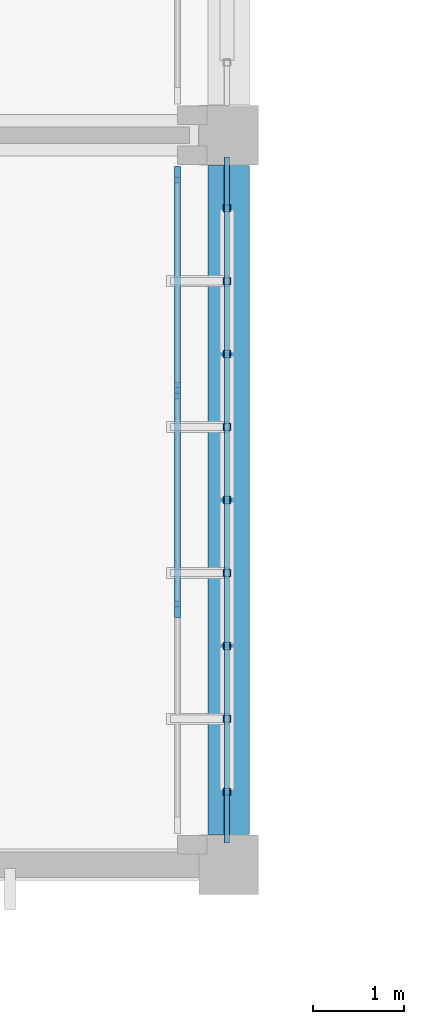
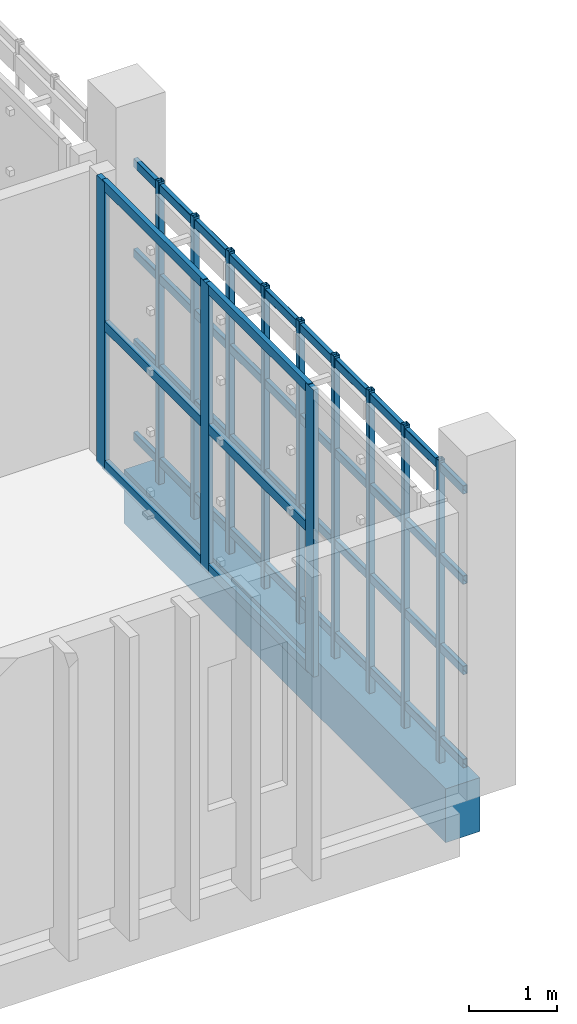
# One storey, part 62 of 106: 22 members, 1 beam, 1 element without a shape of its own.
"""IFC4 building model written with IfcOpenShell, lengths in metres."""

from ifc_helpers import new_model, si_unit, direction, frame, origin, origin_2d, place, context, subcontext, project, spatial, rectangle, hollow_rectangle, extrude, material, layer, layer_set, material_profile, profile_set, type_object, element, aggregate, save


model = new_model("IFC4")

# Units and contexts
model_context = context("Model", 3, precision=1e-05, world=origin(), true_north=direction((0.0, 1.0)))
body_context = subcontext(model_context, "Body", "Model", "MODEL_VIEW")
ifc_project = project(units=[si_unit("LENGTHUNIT", "METRE"), si_unit("AREAUNIT", "SQUARE_METRE"), si_unit("VOLUMEUNIT", "CUBIC_METRE"), si_unit("PLANEANGLEUNIT", "RADIAN"), si_unit("MASSUNIT", "GRAM", prefix="KILO")], contexts=[model_context])

# Site, building, storey
site_placement = place(None, origin())
site = spatial("IfcSite", under=ifc_project, at=site_placement, CompositionType="ELEMENT")
building_placement = place(site_placement, origin())
building = spatial("IfcBuilding", under=site, at=building_placement, Name="Jelvoka-Kovrelna Polytechnic", CompositionType="ELEMENT")
storey_placement = place(building_placement, frame((0.0, 0.0, 4.800048828125)))
storey = spatial("IfcBuildingStorey", under=building, at=storey_placement, Name="L02", CompositionType="ELEMENT", Elevation=4.800048828125)

# Beam
ifc_material_1 = material(Name="Concrete C40/50", Category="concrete")
ifc_material_profile_1 = material_profile(ifc_material_1, rectangle(XDim=0.449951171875, YDim=0.75, at=origin_2d()), Name="RC 450x750")
ifc_profile_set_1 = profile_set([ifc_material_profile_1], Name="Concrete C40/50")
beam_type = type_object("IfcBeamType", Name="Beam_RC_450x750", PredefinedType="BEAM", material=ifc_profile_set_1)
beam_placement = place(storey_placement, frame((192.0, 56.330078125, -0.64013671875), z_axis=(0.0, 1.0, 0.0), x_axis=(-1.0, 0.0, 0.0)))
element("IfcBeam", 1, at=beam_placement, inside=storey, type_object=beam_type, Name="L02 beam 0837", PredefinedType="BEAM", context=body_context, shape_type="SweptSolid", body=[
    extrude(rectangle(XDim=0.449951171875, YDim=0.75, at=origin_2d()), origin(), (0.0, 0.0, 1.0), 7.33984375),
])

# Members
ifc_material_2 = material(Name="Structural steel S355J2H", Category="steel")
ifc_material_profile_2 = material_profile(ifc_material_2, hollow_rectangle(XDim=0.06005859375, YDim=0.1201171875, WallThickness=0.0048828125, InnerFilletRadius=0.0048828125, OuterFilletRadius=0.007568359375, at=origin_2d()), Name="120x60x5.0 RHS")
ifc_profile_set_2 = profile_set([ifc_material_profile_2], Name="Structural steel S355J2H")
member_type_1 = type_object("IfcMemberType", Name="Member_Strut_RHS120", PredefinedType="STRUT", material=ifc_profile_set_2)
for number, where, z_axis, x_axis, name in (
    (2, (191.97998046875, 56.239990234375, 0.079833984375), (0.0, 1.0, 0.0), (-1.0, 0.0, 0.0), "L02 terracotta screen horizontal strut 0651"),
    (3, (191.97998046875, 56.239990234375, 1.375244140625), (0.0, 1.0, 0.0), (-1.0, 0.0, 0.0), "L02 terracotta screen horizontal strut 0652"),
    (4, (191.97998046875, 56.239990234375, 2.632568359375), (0.0, 1.0, 0.0), (-1.0, 0.0, 0.0), "L02 terracotta screen horizontal strut 0653"),
    (5, (191.97998046875, 56.239990234375, 3.889892578125), (0.0, 1.0, 0.0), (-1.0, 0.0, 0.0), "L02 terracotta screen horizontal strut 0654"),
):
    element("IfcMember", number, at=place(storey_placement, frame(where, z_axis=z_axis, x_axis=x_axis)), inside=storey, type_object=member_type_1, Name=name, PredefinedType="STRUT", context=body_context, shape_type="SweptSolid", body=[
        extrude(hollow_rectangle(XDim=0.06005859375, YDim=0.1201171875, WallThickness=0.0048828125, InnerFilletRadius=0.0048828125, OuterFilletRadius=0.007568359375, at=origin_2d()), origin(), (0.0, 0.0, 1.0), 7.52001953125),
    ])
ifc_material_3 = material(Name="Structural steel S355J2H", Category="steel")
ifc_material_profile_3 = material_profile(ifc_material_3, hollow_rectangle(XDim=0.080078125, YDim=0.080078125, WallThickness=0.0048828125, InnerFilletRadius=0.0048828125, OuterFilletRadius=0.007568359375, at=origin_2d()), Name="80x80x5.0 SHS")
ifc_profile_set_3 = profile_set([ifc_material_profile_3], Name="Structural steel S355J2H")
member_type_2 = type_object("IfcMemberType", Name="Member_Strut_SHS80", PredefinedType="STRUT", material=ifc_profile_set_3)
for number, where, z_axis, x_axis, name in (
    (6, (191.97998046875, 56.800048828125, -0.22998046875), (0.0, 0.0, 1.0), (1.0, 0.0, 0.0), "L02 terracotta lattice vertical rib 0655"),
    (7, (191.97998046875, 57.60009765625, -0.22998046875), (0.0, 0.0, 1.0), (1.0, 0.0, 0.0), "L02 terracotta lattice vertical rib 0656"),
    (8, (191.97998046875, 58.39990234375, -0.22998046875), (0.0, 0.0, 1.0), (1.0, 0.0, 0.0), "L02 terracotta lattice vertical rib 0657"),
    (9, (191.97998046875, 59.199951171875, -0.22998046875), (0.0, 0.0, 1.0), (1.0, 0.0, 0.0), "L02 terracotta lattice vertical rib 0658"),
    (10, (191.97998046875, 60.0, -0.22998046875), (0.0, 0.0, 1.0), (1.0, 0.0, 0.0), "L02 terracotta lattice vertical rib 0659"),
    (11, (191.97998046875, 60.800048828125, -0.22998046875), (0.0, 0.0, 1.0), (1.0, 0.0, 0.0), "L02 terracotta lattice vertical rib 0660"),
    (12, (191.97998046875, 61.60009765625, -0.22998046875), (0.0, 0.0, 1.0), (1.0, 0.0, 0.0), "L02 terracotta lattice vertical rib 0661"),
    (13, (191.97998046875, 62.39990234375, -0.22998046875), (0.0, 0.0, 1.0), (1.0, 0.0, 0.0), "L02 terracotta lattice vertical rib 0662"),
    (14, (191.97998046875, 63.199951171875, -0.22998046875), (0.0, 0.0, 1.0), (1.0, 0.0, 0.0), "L02 terracotta lattice vertical rib 0663"),
):
    element("IfcMember", number, at=place(storey_placement, frame(where, z_axis=z_axis, x_axis=x_axis)), inside=storey, type_object=member_type_2, Name=name, PredefinedType="STRUT", context=body_context, shape_type="SweptSolid", body=[
        extrude(hollow_rectangle(XDim=0.080078125, YDim=0.080078125, WallThickness=0.0048828125, InnerFilletRadius=0.0048828125, OuterFilletRadius=0.007568359375, at=origin_2d()), origin(), (0.0, 0.0, 1.0), 4.2099609375),
    ])

# Curtain wall, members
ifc_material_4 = material(Name="Anodised aluminium 6063-T6", Category="aluminium")
ifc_layer = layer(ifc_material_4, 0.179931640625)
ifc_layer_set = layer_set([ifc_layer], Name="Anodised aluminium 6063-T6")
curtain_wall_type = type_object("IfcCurtainWallType", Name="CW_Recessed_B", PredefinedType="NOTDEFINED", material=ifc_layer_set)
curtain_wall_placement = place(storey_placement, origin())
curtain_wall = element("IfcCurtainWall", 15, at=curtain_wall_placement, inside=storey, type_object=curtain_wall_type, Name="L02 glazed curtain wall 083", PredefinedType="NOTDEFINED")
ifc_material_5 = material(Name="Anodised aluminium 6063-T6", Category="aluminium")
ifc_material_profile_4 = material_profile(ifc_material_5, rectangle(XDim=0.06494140625, YDim=0.179931640625, at=origin_2d()), Name="ALU 65x180")
ifc_profile_set_4 = profile_set([ifc_material_profile_4], Name="Anodised aluminium 6063-T6")
member_type_3 = type_object("IfcMemberType", Name="Mullion_M-02", PredefinedType="MULLION", material=ifc_profile_set_4)
member_1_placement = place(storey_placement, frame((191.43994140625, 63.5673828125, -0.02490234375), z_axis=(0.0, 0.0, 1.0), x_axis=(1.0, 0.0, 0.0)))
member_1 = element("IfcMember", 16, at=member_1_placement, type_object=member_type_3, Name="CW-02 mullion 1", PredefinedType="MULLION", context=body_context, shape_type="SweptSolid", body=[
    extrude(rectangle(XDim=0.06494140625, YDim=0.179931640625, at=origin_2d()), origin(), (0.0, 0.0, 1.0), 4.0),
])
member_2_placement = place(storey_placement, frame((191.43994140625, 61.199951171875, -0.02490234375), z_axis=(0.0, 0.0, 1.0), x_axis=(1.0, 0.0, 0.0)))
member_2 = element("IfcMember", 17, at=member_2_placement, type_object=member_type_3, Name="CW-02 mullion 2", PredefinedType="MULLION", context=body_context, shape_type="SweptSolid", body=[
    extrude(rectangle(XDim=0.06494140625, YDim=0.179931640625, at=origin_2d()), origin(), (0.0, 0.0, 1.0), 4.0),
])
member_3_placement = place(storey_placement, frame((191.43994140625, 58.800048828125, -0.02490234375), z_axis=(0.0, 0.0, 1.0), x_axis=(1.0, 0.0, 0.0)))
member_3 = element("IfcMember", 18, at=member_3_placement, type_object=member_type_3, Name="CW-02 mullion 3", PredefinedType="MULLION", context=body_context, shape_type="SweptSolid", body=[
    extrude(rectangle(XDim=0.06494140625, YDim=0.179931640625, at=origin_2d()), origin(), (0.0, 0.0, 1.0), 4.0),
])
ifc_material_6 = material(Name="Anodised aluminium 6063-T6", Category="aluminium")
ifc_material_profile_5 = material_profile(ifc_material_6, rectangle(XDim=0.06494140625, YDim=0.135009765625, at=origin_2d()), Name="ALU 65x135")
ifc_profile_set_5 = profile_set([ifc_material_profile_5], Name="Anodised aluminium 6063-T6")
member_type_4 = type_object("IfcMemberType", Name="Transom_T-02", PredefinedType="USERDEFINED", material=ifc_profile_set_5)
member_4_placement = place(storey_placement, frame((191.43994140625, 63.534912109375, 0.032470703125), z_axis=(0.0, -1.0, 0.0), x_axis=(1.0, 0.0, 0.0)))
member_4 = element("IfcMember", 19, at=member_4_placement, type_object=member_type_4, Name="CW-02 transom 1.1", ObjectType="TRANSOM", PredefinedType="USERDEFINED", context=body_context, shape_type="SweptSolid", body=[
    extrude(rectangle(XDim=0.06494140625, YDim=0.135009765625, at=origin_2d()), origin(), (0.0, 0.0, 1.0), 2.302490234375),
])
member_5_placement = place(storey_placement, frame((191.43994140625, 63.534912109375, 1.974853515625), z_axis=(0.0, -1.0, 0.0), x_axis=(1.0, 0.0, 0.0)))
member_5 = element("IfcMember", 20, at=member_5_placement, type_object=member_type_4, Name="CW-02 transom 1.2", ObjectType="TRANSOM", PredefinedType="USERDEFINED", context=body_context, shape_type="SweptSolid", body=[
    extrude(rectangle(XDim=0.06494140625, YDim=0.135009765625, at=origin_2d()), origin(), (0.0, 0.0, 1.0), 2.302490234375),
])
member_6_placement = place(storey_placement, frame((191.43994140625, 63.534912109375, 3.91748046875), z_axis=(0.0, -1.0, 0.0), x_axis=(1.0, 0.0, 0.0)))
member_6 = element("IfcMember", 21, at=member_6_placement, type_object=member_type_4, Name="CW-02 transom 1.3", ObjectType="TRANSOM", PredefinedType="USERDEFINED", context=body_context, shape_type="SweptSolid", body=[
    extrude(rectangle(XDim=0.06494140625, YDim=0.135009765625, at=origin_2d()), origin(), (0.0, 0.0, 1.0), 2.302490234375),
])
member_7_placement = place(storey_placement, frame((191.43994140625, 61.16748046875, 0.032470703125), z_axis=(0.0, -1.0, 0.0), x_axis=(1.0, 0.0, 0.0)))
member_7 = element("IfcMember", 22, at=member_7_placement, type_object=member_type_4, Name="CW-02 transom 2.1", ObjectType="TRANSOM", PredefinedType="USERDEFINED", context=body_context, shape_type="SweptSolid", body=[
    extrude(rectangle(XDim=0.06494140625, YDim=0.135009765625, at=origin_2d()), origin(), (0.0, 0.0, 1.0), 2.3349609375),
])
member_8_placement = place(storey_placement, frame((191.43994140625, 61.16748046875, 1.974853515625), z_axis=(0.0, -1.0, 0.0), x_axis=(1.0, 0.0, 0.0)))
member_8 = element("IfcMember", 23, at=member_8_placement, type_object=member_type_4, Name="CW-02 transom 2.2", ObjectType="TRANSOM", PredefinedType="USERDEFINED", context=body_context, shape_type="SweptSolid", body=[
    extrude(rectangle(XDim=0.06494140625, YDim=0.135009765625, at=origin_2d()), origin(), (0.0, 0.0, 1.0), 2.3349609375),
])
member_9_placement = place(storey_placement, frame((191.43994140625, 61.16748046875, 3.91748046875), z_axis=(0.0, -1.0, 0.0), x_axis=(1.0, 0.0, 0.0)))
member_9 = element("IfcMember", 24, at=member_9_placement, type_object=member_type_4, Name="CW-02 transom 2.3", ObjectType="TRANSOM", PredefinedType="USERDEFINED", context=body_context, shape_type="SweptSolid", body=[
    extrude(rectangle(XDim=0.06494140625, YDim=0.135009765625, at=origin_2d()), origin(), (0.0, 0.0, 1.0), 2.3349609375),
])
aggregate(curtain_wall, [member_1, member_2, member_3, member_4, member_5, member_6, member_7, member_8, member_9])

save(model, "model.ifc")
